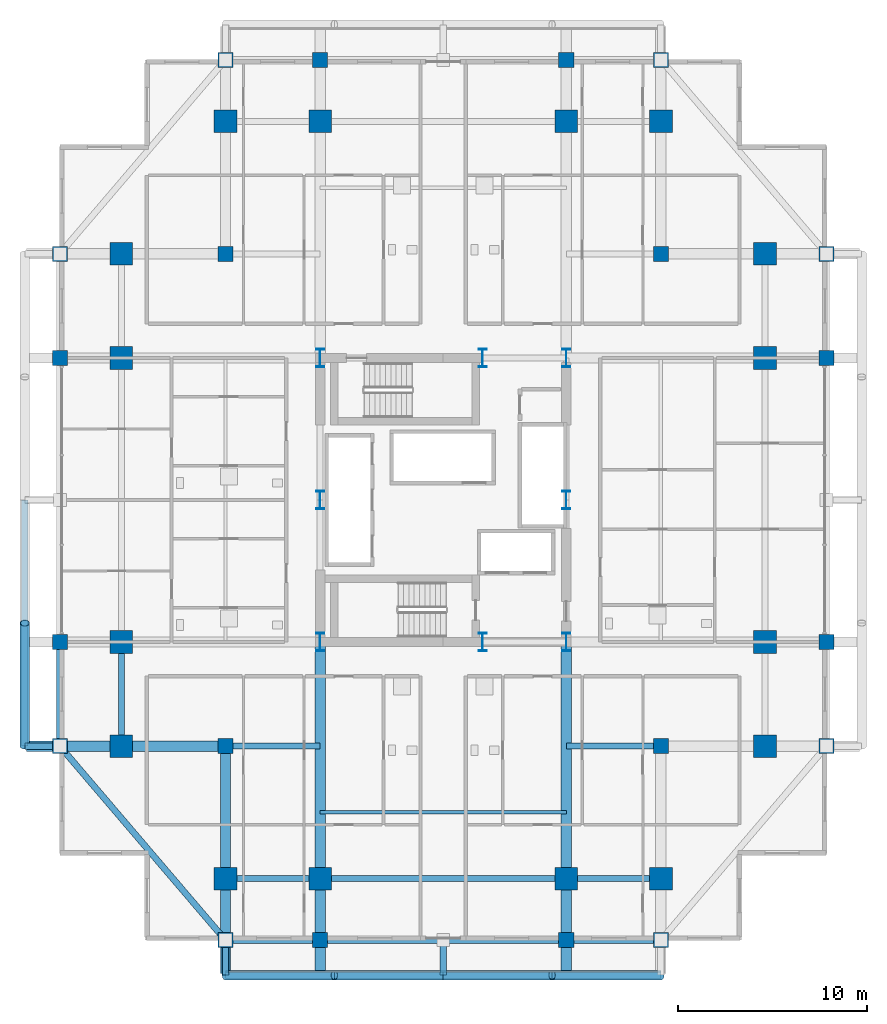
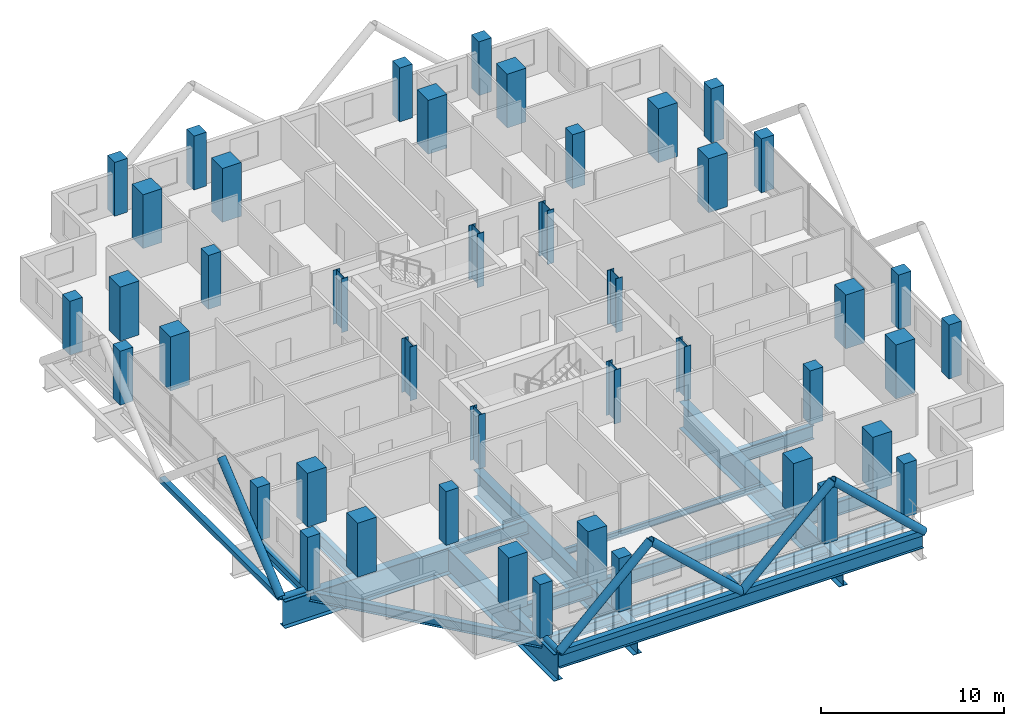
# One storey, part 1 of 21: 44 columns, 17 beams, 11 members.
"""IFC4 building model written with IfcOpenShell, lengths in metres."""

from ifc_helpers import new_model, si_unit, direction, frame, origin, origin_2d, place, context, subcontext, project, spatial, rectangle, hollow_rectangle, hollow_circle, i_section, extrude, material, material_profile, profile_set, type_object, element, save


model = new_model("IFC4")

# Units and contexts
model_context = context("Model", 3, precision=1e-05, world=origin(), true_north=direction((0.0, 1.0)))
body_context = subcontext(model_context, "Body", "Model", "MODEL_VIEW")
ifc_project = project(units=[si_unit("LENGTHUNIT", "METRE"), si_unit("AREAUNIT", "SQUARE_METRE"), si_unit("VOLUMEUNIT", "CUBIC_METRE"), si_unit("PLANEANGLEUNIT", "RADIAN"), si_unit("MASSUNIT", "GRAM", prefix="KILO")], contexts=[model_context])

# Site, building, storey
site_placement = place(None, origin())
site = spatial("IfcSite", under=ifc_project, at=site_placement, CompositionType="ELEMENT")
building_placement = place(site_placement, origin())
building = spatial("IfcBuilding", under=site, at=building_placement, Name="Barlavira Tower and Art Museum", CompositionType="ELEMENT")
storey_placement = place(building_placement, frame((0.0, 0.0, 99.0)))
storey = spatial("IfcBuildingStorey", under=building, at=storey_placement, Name="L24", CompositionType="ELEMENT", Elevation=99.0)

# Columns
ifc_material_1 = material(Name="Steel S355", Category="steel")
ifc_material_profile_1 = material_profile(ifc_material_1, i_section(OverallWidth=0.419921875, OverallDepth=0.9599609375, WebThickness=0.02197265625, FlangeThickness=0.033935546875, at=origin_2d()), Name="W920x387.0")
ifc_profile_set_1 = profile_set([ifc_material_profile_1], Name="Steel S355")
column_type_1 = type_object("IfcColumnType", Name="Core Composite Column W920x387 Steel S355", PredefinedType="COLUMN", material=ifc_profile_set_1)
for number, where, z_axis, x_axis, name in (
    (1, (-6.5, -7.5, 0.0), (0.0, 0.0, 1.0), (1.0, 0.0, 0.0), "L24 Column CC-L24-C1"),
    (2, (2.080078125, -7.5, 0.0), (0.0, 0.0, 1.0), (1.0, 0.0, 0.0), "L24 Column CC-L24-C2"),
    (3, (6.5, -7.5, 0.0), (0.0, 0.0, 1.0), (1.0, 0.0, 0.0), "L24 Column CC-L24-C3"),
    (4, (-6.5, 0.0, 0.0), (0.0, 0.0, 1.0), (1.0, 0.0, 0.0), "L24 Column CC-L24-C4"),
    (5, (6.5, 0.0, 0.0), (0.0, 0.0, 1.0), (1.0, 0.0, 0.0), "L24 Column CC-L24-C5"),
    (6, (-6.5, 7.5, 0.0), (0.0, 0.0, 1.0), (1.0, 0.0, 0.0), "L24 Column CC-L24-C6"),
    (7, (2.080078125, 7.5, 0.0), (0.0, 0.0, 1.0), (1.0, 0.0, 0.0), "L24 Column CC-L24-C7"),
    (8, (6.5, 7.5, 0.0), (0.0, 0.0, 1.0), (1.0, 0.0, 0.0), "L24 Column CC-L24-C8"),
):
    element("IfcColumn", number, at=place(storey_placement, frame(where, z_axis=z_axis, x_axis=x_axis)), inside=storey, type_object=column_type_1, Name=name, PredefinedType="COLUMN", context=body_context, shape_type="SweptSolid", body=[
        extrude(i_section(OverallWidth=0.419921875, OverallDepth=0.9599609375, WebThickness=0.02197265625, FlangeThickness=0.033935546875, at=origin_2d()), origin(), (0.0, 0.0, 1.0), 3.60009765625),
    ])
ifc_material_2 = material(Name="Concrete C60", Category="concrete")
ifc_material_profile_2 = material_profile(ifc_material_2, rectangle(XDim=1.199951171875, YDim=1.199951171875, at=origin_2d()), Name="RC-COL 1200x1200")
ifc_profile_set_2 = profile_set([ifc_material_profile_2], Name="Concrete C60")
column_type_2 = type_object("IfcColumnType", Name="Perimeter Mega Column 1200x1200 Concrete C60", PredefinedType="USERDEFINED", material=ifc_profile_set_2)
for number, where, z_axis, x_axis, name in (
    (9, (-11.5, -20.0, 0.0), (0.0, 0.0, 1.0), (1.0, 0.0, 0.0), "L24 Column MC-L24-M01"),
    (10, (-6.5, -20.0, 0.0), (0.0, 0.0, 1.0), (1.0, 0.0, 0.0), "L24 Column MC-L24-M02"),
    (11, (6.5, -20.0, 0.0), (0.0, 0.0, 1.0), (1.0, 0.0, 0.0), "L24 Column MC-L24-M03"),
    (12, (11.5, -20.0, 0.0), (0.0, 0.0, 1.0), (1.0, 0.0, 0.0), "L24 Column MC-L24-M04"),
    (13, (17.0, -13.0, 0.0), (0.0, 0.0, 1.0), (1.0, 0.0, 0.0), "L24 Column MC-L24-M05"),
    (14, (17.0, -7.5, 0.0), (0.0, 0.0, 1.0), (1.0, 0.0, 0.0), "L24 Column MC-L24-M06"),
    (15, (17.0, 7.5, 0.0), (0.0, 0.0, 1.0), (1.0, 0.0, 0.0), "L24 Column MC-L24-M07"),
    (16, (17.0, 13.0, 0.0), (0.0, 0.0, 1.0), (1.0, 0.0, 0.0), "L24 Column MC-L24-M08"),
    (17, (11.5, 20.0, 0.0), (0.0, 0.0, 1.0), (1.0, 0.0, 0.0), "L24 Column MC-L24-M09"),
    (18, (6.5, 20.0, 0.0), (0.0, 0.0, 1.0), (1.0, 0.0, 0.0), "L24 Column MC-L24-M10"),
    (19, (-6.5, 20.0, 0.0), (0.0, 0.0, 1.0), (1.0, 0.0, 0.0), "L24 Column MC-L24-M11"),
    (20, (-11.5, 20.0, 0.0), (0.0, 0.0, 1.0), (1.0, 0.0, 0.0), "L24 Column MC-L24-M12"),
    (21, (-17.0, 13.0, 0.0), (0.0, 0.0, 1.0), (1.0, 0.0, 0.0), "L24 Column MC-L24-M13"),
    (22, (-17.0, 7.5, 0.0), (0.0, 0.0, 1.0), (1.0, 0.0, 0.0), "L24 Column MC-L24-M14"),
    (23, (-17.0, -7.5, 0.0), (0.0, 0.0, 1.0), (1.0, 0.0, 0.0), "L24 Column MC-L24-M15"),
    (24, (-17.0, -13.0, 0.0), (0.0, 0.0, 1.0), (1.0, 0.0, 0.0), "L24 Column MC-L24-M16"),
):
    element("IfcColumn", number, at=place(storey_placement, frame(where, z_axis=z_axis, x_axis=x_axis)), inside=storey, type_object=column_type_2, Name=name, ObjectType="MEGA COLUMN", PredefinedType="USERDEFINED", context=body_context, shape_type="SweptSolid", body=[
        extrude(rectangle(XDim=1.199951171875, YDim=1.199951171875, at=origin_2d()), origin(), (0.0, 0.0, 1.0), 3.60009765625),
    ])
ifc_material_3 = material(Name="Concrete C50", Category="concrete")
ifc_material_profile_3 = material_profile(ifc_material_3, rectangle(XDim=0.800048828125, YDim=0.800048828125, at=origin_2d()), Name="RC-COL 800x800")
ifc_profile_set_3 = profile_set([ifc_material_profile_3], Name="Concrete C50")
column_type_3 = type_object("IfcColumnType", Name="Podium Frame Column 800x800 Concrete C50", PredefinedType="COLUMN", material=ifc_profile_set_3)
for number, where, z_axis, x_axis, name in (
    (25, (-11.5, -13.0, 0.0), (0.0, 0.0, 1.0), (1.0, 0.0, 0.0), "L24 Column CI-L24-I1"),
    (26, (11.5, -13.0, 0.0), (0.0, 0.0, 1.0), (1.0, 0.0, 0.0), "L24 Column CI-L24-I2"),
    (27, (-11.5, 13.0, 0.0), (0.0, 0.0, 1.0), (1.0, 0.0, 0.0), "L24 Column CI-L24-I3"),
    (28, (11.5, 13.0, 0.0), (0.0, 0.0, 1.0), (1.0, 0.0, 0.0), "L24 Column CI-L24-I4"),
    (29, (-11.5, -23.25, 0.0), (0.0, 0.0, 1.0), (1.0, 0.0, 0.0), "L24 Column CZ2-L24-N01"),
    (30, (-6.5, -23.25, 0.0), (0.0, 0.0, 1.0), (1.0, 0.0, 0.0), "L24 Column CZ2-L24-N02"),
    (31, (6.5, -23.25, 0.0), (0.0, 0.0, 1.0), (1.0, 0.0, 0.0), "L24 Column CZ2-L24-N02B"),
    (32, (11.5, -23.25, 0.0), (0.0, 0.0, 1.0), (1.0, 0.0, 0.0), "L24 Column CZ2-L24-N03"),
    (33, (-20.25, -13.0, 0.0), (0.0, 0.0, 1.0), (1.0, 0.0, 0.0), "L24 Column CZ2-L24-N04"),
    (34, (-20.25, -7.5, 0.0), (0.0, 0.0, 1.0), (1.0, 0.0, 0.0), "L24 Column CZ2-L24-N05"),
    (35, (-20.25, 7.5, 0.0), (0.0, 0.0, 1.0), (1.0, 0.0, 0.0), "L24 Column CZ2-L24-N05B"),
    (36, (-20.25, 13.0, 0.0), (0.0, 0.0, 1.0), (1.0, 0.0, 0.0), "L24 Column CZ2-L24-N06"),
    (37, (-11.5, 23.25, 0.0), (0.0, 0.0, 1.0), (1.0, 0.0, 0.0), "L24 Column CZ2-L24-N07"),
    (38, (-6.5, 23.25, 0.0), (0.0, 0.0, 1.0), (1.0, 0.0, 0.0), "L24 Column CZ2-L24-N08"),
    (39, (6.5, 23.25, 0.0), (0.0, 0.0, 1.0), (1.0, 0.0, 0.0), "L24 Column CZ2-L24-N08B"),
    (40, (11.5, 23.25, 0.0), (0.0, 0.0, 1.0), (1.0, 0.0, 0.0), "L24 Column CZ2-L24-N09"),
    (41, (20.25, -13.0, 0.0), (0.0, 0.0, 1.0), (1.0, 0.0, 0.0), "L24 Column CZ2-L24-N10"),
    (42, (20.25, -7.5, 0.0), (0.0, 0.0, 1.0), (1.0, 0.0, 0.0), "L24 Column CZ2-L24-N11"),
    (43, (20.25, 7.5, 0.0), (0.0, 0.0, 1.0), (1.0, 0.0, 0.0), "L24 Column CZ2-L24-N11B"),
    (44, (20.25, 13.0, 0.0), (0.0, 0.0, 1.0), (1.0, 0.0, 0.0), "L24 Column CZ2-L24-N12"),
):
    element("IfcColumn", number, at=place(storey_placement, frame(where, z_axis=z_axis, x_axis=x_axis)), inside=storey, type_object=column_type_3, Name=name, PredefinedType="COLUMN", context=body_context, shape_type="SweptSolid", body=[
        extrude(rectangle(XDim=0.800048828125, YDim=0.800048828125, at=origin_2d()), origin(), (0.0, 0.0, 1.0), 3.60009765625),
    ])

# Members
ifc_material_profile_4 = material_profile(ifc_material_1, hollow_circle(Radius=0.25390625, WallThickness=0.022216796875, at=origin_2d()), Name="CHS 508.0x22.2")
ifc_profile_set_4 = profile_set([ifc_material_profile_4], Name="Steel S355")
member_type_1 = type_object("IfcMemberType", Name="Pale-Metal Exoskeleton Diagrid Tube CHS 508x22 Steel S355", PredefinedType="BRACE", material=ifc_profile_set_4)
for number, where, z_axis, x_axis, name in (
    (45, (-11.5, -25.10009765625, -0.1201171875), (0.728934650808, 0.0, 0.684583285548), (0.0, 1.0, 0.0), "L24 Exoskeleton Diagrid Tube S"),
    (46, (0.0, -25.10009765625, -0.1201171875), (-0.728934650808, 0.0, 0.684583285548), (0.0, -1.0, 0.0), "L24 Exoskeleton Diagrid Tube S"),
    (47, (0.0, -25.10009765625, -0.1201171875), (0.728934650808, 0.0, 0.684583285548), (0.0, 1.0, 0.0), "L24 Exoskeleton Diagrid Tube S"),
    (48, (11.5, -25.10009765625, -0.1201171875), (-0.728934650808, 0.0, 0.684583285548), (0.0, -1.0, 0.0), "L24 Exoskeleton Diagrid Tube S"),
):
    element("IfcMember", number, at=place(storey_placement, frame(where, z_axis=z_axis, x_axis=x_axis)), inside=storey, type_object=member_type_1, Name=name, PredefinedType="BRACE", context=body_context, shape_type="SweptSolid", body=[
        extrude(hollow_circle(Radius=0.25390625, WallThickness=0.022216796875, at=origin_2d()), origin(), (0.0, 0.0, 1.0), 7.88818359375),
    ])
member_1_placement = place(storey_placement, frame((-22.10009765625, -13.0, -0.1201171875), z_axis=(0.0, 0.76918185268, 0.639029950399), x_axis=(-1.0, 0.0, 0.0)))
element("IfcMember", 49, at=member_1_placement, inside=storey, type_object=member_type_1, Name="L24 Exoskeleton Diagrid Tube W", PredefinedType="BRACE", context=body_context, shape_type="SweptSolid", body=[
    extrude(hollow_circle(Radius=0.25390625, WallThickness=0.022216796875, at=origin_2d()), origin(), (0.0, 0.0, 1.0), 8.450439453125),
])
ifc_material_profile_5 = material_profile(ifc_material_1, hollow_rectangle(XDim=0.35009765625, YDim=0.35009765625, WallThickness=0.02001953125, at=origin_2d()), Name="SHS 350x350x20.0")
ifc_profile_set_5 = profile_set([ifc_material_profile_5], Name="Steel S355")
member_type_2 = type_object("IfcMemberType", Name="Pale-Metal Exoskeleton Ring Strut SHS 350x350x20 Steel S355", PredefinedType="STRUT", material=ifc_profile_set_5)
for number, where, z_axis, x_axis, name in (
    (50, (-11.5, -25.10009765625, -0.1201171875), (1.0, 0.0, 0.0), (0.0, 1.0, 0.0), "L24 Exoskeleton Ring Strut S"),
    (51, (0.0, -25.10009765625, -0.1201171875), (1.0, 0.0, 0.0), (0.0, 1.0, 0.0), "L24 Exoskeleton Ring Strut S"),
):
    element("IfcMember", number, at=place(storey_placement, frame(where, z_axis=z_axis, x_axis=x_axis)), inside=storey, type_object=member_type_2, Name=name, PredefinedType="STRUT", context=body_context, shape_type="SweptSolid", body=[
        extrude(hollow_rectangle(XDim=0.35009765625, YDim=0.35009765625, WallThickness=0.02001953125, at=origin_2d()), origin(), (0.0, 0.0, 1.0), 11.5),
    ])
member_2_placement = place(storey_placement, frame((-22.10009765625, -13.0, -0.1201171875), z_axis=(0.0, 1.0, 0.0), x_axis=(-1.0, 0.0, 0.0)))
element("IfcMember", 52, at=member_2_placement, inside=storey, type_object=member_type_2, Name="L24 Exoskeleton Ring Strut W", PredefinedType="STRUT", context=body_context, shape_type="SweptSolid", body=[
    extrude(hollow_rectangle(XDim=0.35009765625, YDim=0.35009765625, WallThickness=0.02001953125, at=origin_2d()), origin(), (0.0, 0.0, 1.0), 13.0),
])
ifc_material_profile_6 = material_profile(ifc_material_1, hollow_circle(Radius=0.177734375, WallThickness=0.01611328125, at=origin_2d()), Name="CHS 355.6x16.0")
ifc_profile_set_6 = profile_set([ifc_material_profile_6], Name="Steel S355")
member_type_3 = type_object("IfcMemberType", Name="Pale-Metal Exoskeleton Tie Strut CHS 356x16 Steel S355", PredefinedType="STRUT", material=ifc_profile_set_6)
for number, where, z_axis, x_axis, name in (
    (53, (-11.5, -25.10009765625, -0.1201171875), (0.0, 1.0, 0.0), (-1.0, 0.0, 0.0), "L24 Exoskeleton Tie Strut S1"),
    (54, (0.0, -25.10009765625, -0.1201171875), (0.0, 1.0, 0.0), (-1.0, 0.0, 0.0), "L24 Exoskeleton Tie Strut S2"),
    (55, (-22.10009765625, -13.0, -0.1201171875), (1.0, 0.0, 0.0), (0.0, 1.0, 0.0), "L24 Exoskeleton Tie Strut W1"),
):
    element("IfcMember", number, at=place(storey_placement, frame(where, z_axis=z_axis, x_axis=x_axis)), inside=storey, type_object=member_type_3, Name=name, PredefinedType="STRUT", context=body_context, shape_type="SweptSolid", body=[
        extrude(hollow_circle(Radius=0.177734375, WallThickness=0.01611328125, at=origin_2d()), origin(), (0.0, 0.0, 1.0), 1.85009765625),
    ])

# Beams
ifc_material_profile_7 = material_profile(ifc_material_1, i_section(OverallWidth=0.327880859375, OverallDepth=0.62890625, WebThickness=0.013916015625, FlangeThickness=0.021484375, at=origin_2d()), Name="W610x174.0")
ifc_profile_set_7 = profile_set([ifc_material_profile_7], Name="Steel S355")
beam_type_1 = type_object("IfcBeamType", Name="Perimeter Spandrel Edge Beam W610x174 Steel S355", PredefinedType="SPANDREL", material=ifc_profile_set_7)
beam_1_placement = place(storey_placement, frame((-11.5, -23.25, -0.614501953125), z_axis=(1.0, 0.0, 0.0), x_axis=(0.0, 1.0, 0.0)))
element("IfcBeam", 56, at=beam_1_placement, inside=storey, type_object=beam_type_1, Name="L24 Spandrel 1", PredefinedType="SPANDREL", context=body_context, shape_type="SweptSolid", body=[
    extrude(i_section(OverallWidth=0.327880859375, OverallDepth=0.62890625, WebThickness=0.013916015625, FlangeThickness=0.021484375, at=origin_2d()), origin(), (0.0, 0.0, 1.0), 5.0),
])
beam_2_placement = place(storey_placement, frame((-6.5, -23.25, -0.614501953125), z_axis=(1.0, 0.0, 0.0), x_axis=(0.0, 1.0, 0.0)))
element("IfcBeam", 57, at=beam_2_placement, inside=storey, type_object=beam_type_1, Name="L24 Spandrel 2", PredefinedType="SPANDREL", context=body_context, shape_type="SweptSolid", body=[
    extrude(i_section(OverallWidth=0.327880859375, OverallDepth=0.62890625, WebThickness=0.013916015625, FlangeThickness=0.021484375, at=origin_2d()), origin(), (0.0, 0.0, 1.0), 13.0),
])
beam_3_placement = place(storey_placement, frame((6.5, -23.25, -0.614501953125), z_axis=(1.0, 0.0, 0.0), x_axis=(0.0, 1.0, 0.0)))
element("IfcBeam", 58, at=beam_3_placement, inside=storey, type_object=beam_type_1, Name="L24 Spandrel 3", PredefinedType="SPANDREL", context=body_context, shape_type="SweptSolid", body=[
    extrude(i_section(OverallWidth=0.327880859375, OverallDepth=0.62890625, WebThickness=0.013916015625, FlangeThickness=0.021484375, at=origin_2d()), origin(), (0.0, 0.0, 1.0), 5.0),
])
beam_4_placement = place(storey_placement, frame((-20.25, -13.0, -0.614501953125), z_axis=(0.0, 1.0, 0.0), x_axis=(-1.0, 0.0, 0.0)))
element("IfcBeam", 59, at=beam_4_placement, inside=storey, type_object=beam_type_1, Name="L24 Spandrel 15", PredefinedType="SPANDREL", context=body_context, shape_type="SweptSolid", body=[
    extrude(i_section(OverallWidth=0.327880859375, OverallDepth=0.62890625, WebThickness=0.013916015625, FlangeThickness=0.021484375, at=origin_2d()), origin(), (0.0, 0.0, 1.0), 5.5),
])
beam_5_placement = place(storey_placement, frame((-20.25, -13.0, -0.614501953125), z_axis=(0.649262379928, -0.760564502202, 0.0), x_axis=(0.760564502202, 0.649262379928, 0.0)))
element("IfcBeam", 60, at=beam_5_placement, inside=storey, type_object=beam_type_1, Name="L24 Spandrel 16", PredefinedType="SPANDREL", context=body_context, shape_type="SweptSolid", body=[
    extrude(i_section(OverallWidth=0.327880859375, OverallDepth=0.62890625, WebThickness=0.013916015625, FlangeThickness=0.021484375, at=origin_2d()), origin(), (0.0, 0.0, 1.0), 13.476806640625),
])
ifc_material_profile_8 = material_profile(ifc_material_1, i_section(OverallWidth=0.30908203125, OverallDepth=0.931884765625, WebThickness=0.01953125, FlangeThickness=0.034423828125, at=origin_2d()), Name="W920x313.0")
ifc_profile_set_8 = profile_set([ifc_material_profile_8], Name="Steel S355")
beam_type_2 = type_object("IfcBeamType", Name="Setback Ring Girder W920x313 Steel S355", PredefinedType="BEAM", material=ifc_profile_set_8)
beam_6_placement = place(storey_placement, frame((-11.5, -20.0, -0.76611328125), z_axis=(1.0, 0.0, 0.0), x_axis=(0.0, 1.0, 0.0)))
element("IfcBeam", 61, at=beam_6_placement, inside=storey, type_object=beam_type_2, Name="L24 Girder M-S1", PredefinedType="BEAM", context=body_context, shape_type="SweptSolid", body=[
    extrude(i_section(OverallWidth=0.30908203125, OverallDepth=0.931884765625, WebThickness=0.01953125, FlangeThickness=0.034423828125, at=origin_2d()), origin(), (0.0, 0.0, 1.0), 5.0),
])
beam_7_placement = place(storey_placement, frame((-6.5, -20.0, -0.76611328125), z_axis=(1.0, 0.0, 0.0), x_axis=(0.0, 1.0, 0.0)))
element("IfcBeam", 62, at=beam_7_placement, inside=storey, type_object=beam_type_2, Name="L24 Girder M-S2", PredefinedType="BEAM", context=body_context, shape_type="SweptSolid", body=[
    extrude(i_section(OverallWidth=0.30908203125, OverallDepth=0.931884765625, WebThickness=0.01953125, FlangeThickness=0.034423828125, at=origin_2d()), origin(), (0.0, 0.0, 1.0), 13.0),
])
beam_8_placement = place(storey_placement, frame((6.5, -20.0, -0.76611328125), z_axis=(1.0, 0.0, 0.0), x_axis=(0.0, 1.0, 0.0)))
element("IfcBeam", 63, at=beam_8_placement, inside=storey, type_object=beam_type_2, Name="L24 Girder M-S3", PredefinedType="BEAM", context=body_context, shape_type="SweptSolid", body=[
    extrude(i_section(OverallWidth=0.30908203125, OverallDepth=0.931884765625, WebThickness=0.01953125, FlangeThickness=0.034423828125, at=origin_2d()), origin(), (0.0, 0.0, 1.0), 5.0),
])
beam_9_placement = place(storey_placement, frame((-17.0, -13.0, -0.76611328125), z_axis=(0.0, 1.0, 0.0), x_axis=(-1.0, 0.0, 0.0)))
element("IfcBeam", 64, at=beam_9_placement, inside=storey, type_object=beam_type_2, Name="L24 Girder M-W1", PredefinedType="BEAM", context=body_context, shape_type="SweptSolid", body=[
    extrude(i_section(OverallWidth=0.30908203125, OverallDepth=0.931884765625, WebThickness=0.01953125, FlangeThickness=0.034423828125, at=origin_2d()), origin(), (0.0, 0.0, 1.0), 5.5),
])
for number, where, z_axis, x_axis, name in (
    (65, (-11.5, -13.0, -0.76611328125), (1.0, 0.0, 0.0), (0.0, 1.0, 0.0), "L24 Girder I-S2"),
    (66, (6.5, -13.0, -0.76611328125), (1.0, 0.0, 0.0), (0.0, 1.0, 0.0), "L24 Girder I-S3"),
):
    element("IfcBeam", number, at=place(storey_placement, frame(where, z_axis=z_axis, x_axis=x_axis)), inside=storey, type_object=beam_type_2, Name=name, PredefinedType="BEAM", context=body_context, shape_type="SweptSolid", body=[
        extrude(i_section(OverallWidth=0.30908203125, OverallDepth=0.931884765625, WebThickness=0.01953125, FlangeThickness=0.034423828125, at=origin_2d()), origin(), (0.0, 0.0, 1.0), 5.0),
    ])
beam_10_placement = place(storey_placement, frame((-11.5, -25.0, -0.76611328125), z_axis=(1.0, 0.0, 0.0), x_axis=(0.0, 1.0, 0.0)))
element("IfcBeam", 67, at=beam_10_placement, inside=storey, type_object=beam_type_2, Name="L24 South Setback Terrace Edge Beam", PredefinedType="BEAM", context=body_context, shape_type="SweptSolid", body=[
    extrude(i_section(OverallWidth=0.30908203125, OverallDepth=0.931884765625, WebThickness=0.01953125, FlangeThickness=0.034423828125, at=origin_2d()), origin(), (0.0, 0.0, 1.0), 23.0),
])
ifc_material_profile_9 = material_profile(ifc_material_1, i_section(OverallWidth=0.179931640625, OverallDepth=0.4130859375, WebThickness=0.009765625, FlangeThickness=0.01611328125, at=origin_2d()), Name="W410x75.0")
ifc_profile_set_9 = profile_set([ifc_material_profile_9], Name="Steel S355")
beam_type_3 = type_object("IfcBeamType", Name="Zone 2 Composite Floor Joist W410x75 Steel S355", PredefinedType="JOIST", material=ifc_profile_set_9)
beam_11_placement = place(storey_placement, frame((-6.5, -16.5, -0.506591796875), z_axis=(1.0, 0.0, 0.0), x_axis=(0.0, 1.0, 0.0)))
element("IfcBeam", 68, at=beam_11_placement, inside=storey, type_object=beam_type_3, Name="L24 Joist C1", PredefinedType="JOIST", context=body_context, shape_type="SweptSolid", body=[
    extrude(i_section(OverallWidth=0.179931640625, OverallDepth=0.4130859375, WebThickness=0.009765625, FlangeThickness=0.01611328125, at=origin_2d()), origin(), (0.0, 0.0, 1.0), 13.0),
])
ifc_material_profile_10 = material_profile(ifc_material_1, i_section(OverallWidth=0.550048828125, OverallDepth=1.800048828125, WebThickness=0.02587890625, FlangeThickness=0.033935546875, at=origin_2d()), Name="CVS1800x520")
ifc_profile_set_10 = profile_set([ifc_material_profile_10], Name="Steel S355")
beam_type_4 = type_object("IfcBeamType", Name="Zone Setback Transfer Girder CVS1800x520 Steel S355", PredefinedType="USERDEFINED", material=ifc_profile_set_10)
beam_12_placement = place(storey_placement, frame((-11.5, -25.0, -1.199951171875), z_axis=(0.0, 1.0, 0.0), x_axis=(-1.0, 0.0, 0.0)))
element("IfcBeam", 69, at=beam_12_placement, inside=storey, type_object=beam_type_4, Name="L24 Setback Transfer Girder TGL24-01", ObjectType="TRANSFER GIRDER", PredefinedType="USERDEFINED", context=body_context, shape_type="SweptSolid", body=[
    extrude(i_section(OverallWidth=0.550048828125, OverallDepth=1.800048828125, WebThickness=0.02587890625, FlangeThickness=0.033935546875, at=origin_2d()), origin(), (0.0, 0.0, 1.0), 12.0),
])
for number, where, z_axis, x_axis, name in (
    (70, (-6.5, -25.0, -1.199951171875), (0.0, 1.0, 0.0), (-1.0, 0.0, 0.0), "L24 Setback Transfer Girder TGL24-02A"),
    (71, (6.5, -25.0, -1.199951171875), (0.0, 1.0, 0.0), (-1.0, 0.0, 0.0), "L24 Setback Transfer Girder TGL24-02B"),
):
    element("IfcBeam", number, at=place(storey_placement, frame(where, z_axis=z_axis, x_axis=x_axis)), inside=storey, type_object=beam_type_4, Name=name, ObjectType="TRANSFER GIRDER", PredefinedType="USERDEFINED", context=body_context, shape_type="SweptSolid", body=[
        extrude(i_section(OverallWidth=0.550048828125, OverallDepth=1.800048828125, WebThickness=0.02587890625, FlangeThickness=0.033935546875, at=origin_2d()), origin(), (0.0, 0.0, 1.0), 17.5),
    ])
beam_13_placement = place(storey_placement, frame((-22.0, -13.0, -1.199951171875), z_axis=(1.0, 0.0, 0.0), x_axis=(0.0, 1.0, 0.0)))
element("IfcBeam", 72, at=beam_13_placement, inside=storey, type_object=beam_type_4, Name="L24 Setback Transfer Girder TGL24-07", ObjectType="TRANSFER GIRDER", PredefinedType="USERDEFINED", context=body_context, shape_type="SweptSolid", body=[
    extrude(i_section(OverallWidth=0.550048828125, OverallDepth=1.800048828125, WebThickness=0.02587890625, FlangeThickness=0.033935546875, at=origin_2d()), origin(), (0.0, 0.0, 1.0), 10.5),
])

save(model, "model.ifc")
